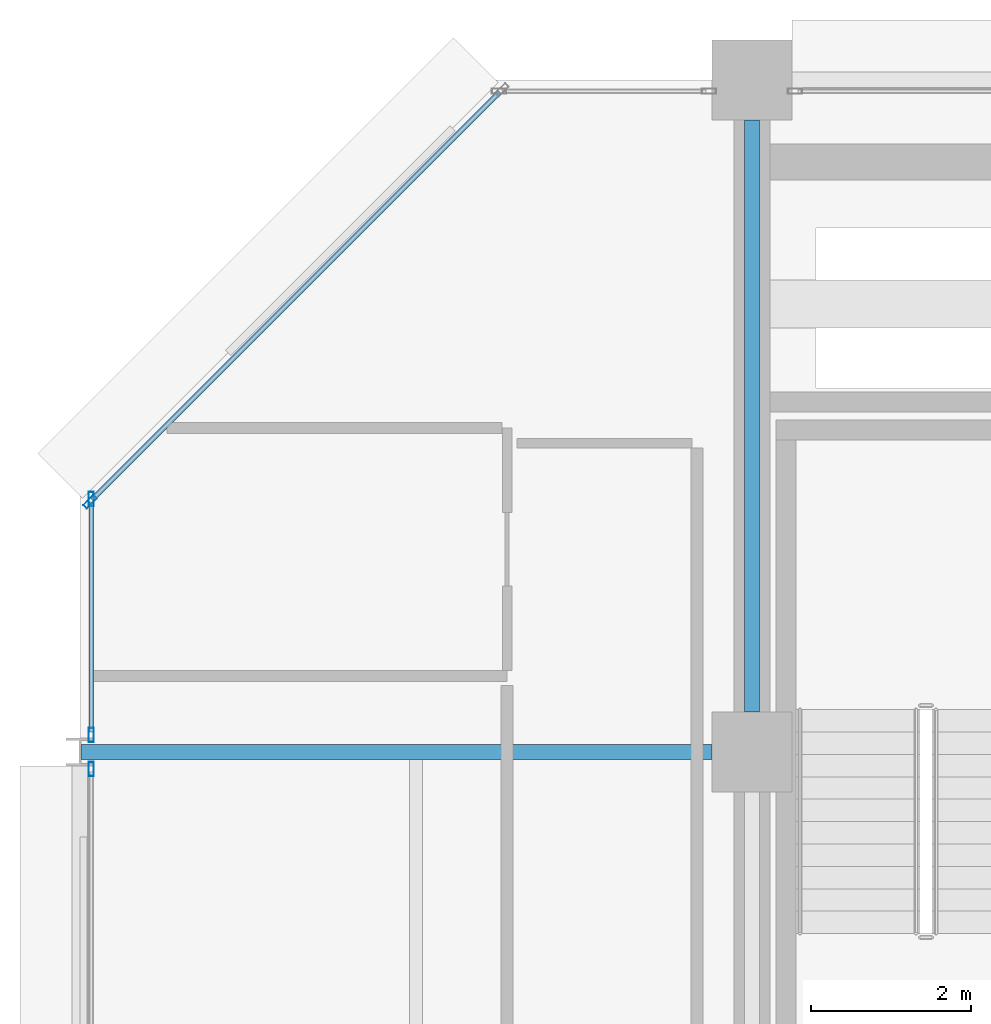
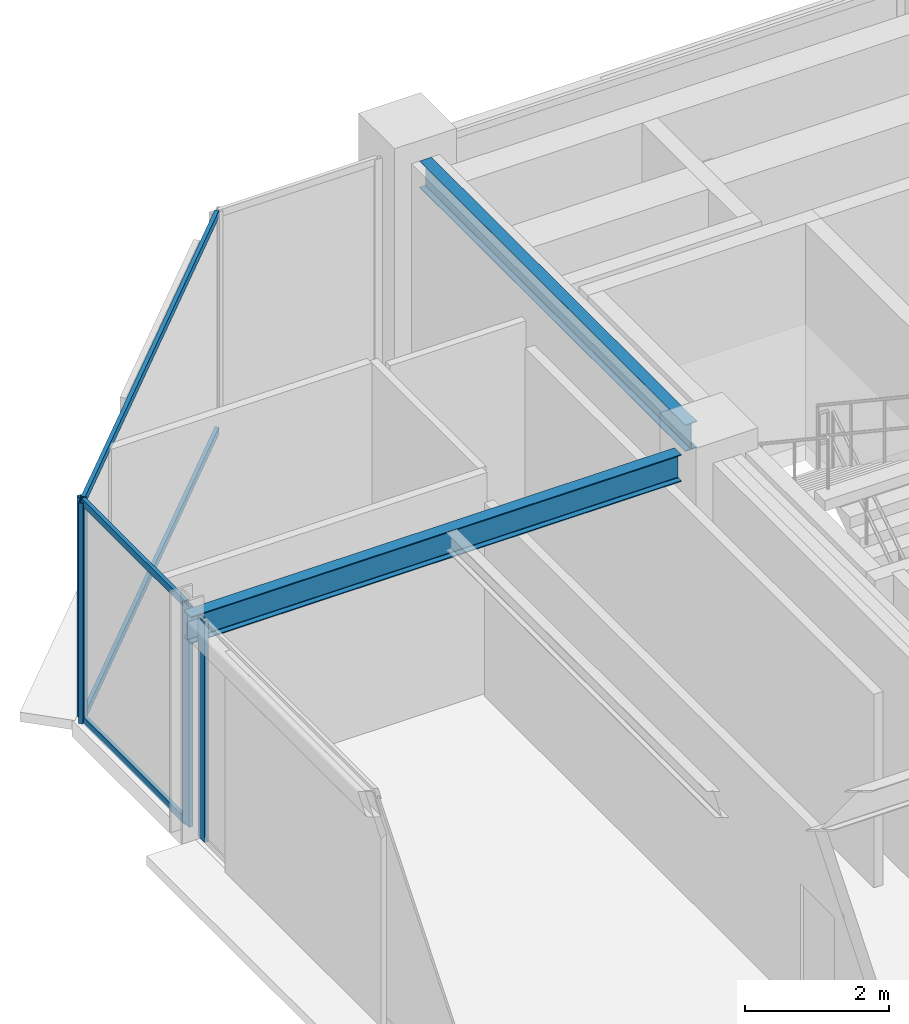
# One storey, part 16 of 26: 8 members, 2 beams, 3 elements without a shape of their own.
"""IFC4 building model written with IfcOpenShell, lengths in metres."""

from ifc_helpers import new_model, si_unit, direction, frame, origin, origin_2d, place, context, subcontext, project, spatial, hollow_rectangle, i_section, extrude, material, layer, layer_set, material_profile, profile_set, type_object, element, aggregate, save


model = new_model("IFC4")

# Units and contexts
model_context = context("Model", 3, precision=1e-05, world=origin(), true_north=direction((0.0, 1.0)))
body_context = subcontext(model_context, "Body", "Model", "MODEL_VIEW")
ifc_project = project(units=[si_unit("LENGTHUNIT", "METRE"), si_unit("AREAUNIT", "SQUARE_METRE"), si_unit("VOLUMEUNIT", "CUBIC_METRE"), si_unit("PLANEANGLEUNIT", "RADIAN"), si_unit("MASSUNIT", "GRAM", prefix="KILO")], contexts=[model_context])

# Site, building, storey
site_placement = place(None, origin())
site = spatial("IfcSite", under=ifc_project, at=site_placement, CompositionType="ELEMENT")
building_placement = place(site_placement, origin())
building = spatial("IfcBuilding", under=site, at=building_placement, Name="Nerrivon Quay Data Exchange", CompositionType="ELEMENT")
storey_placement = place(building_placement, frame((0.0, 0.0, 241.10009765625)))
storey = spatial("IfcBuildingStorey", under=building, at=storey_placement, Name="L57", CompositionType="ELEMENT", Elevation=241.10009765625)

# Beams
ifc_material_1 = material(Name="Steel Grade 350", Category="steel")
ifc_material_profile_1 = material_profile(ifc_material_1, i_section(OverallWidth=0.19091796875, OverallDepth=0.4599609375, WebThickness=0.010009765625, FlangeThickness=0.01611328125, FilletRadius=0.011474609375, at=origin_2d()), Name="460UB82.1")
ifc_profile_set_1 = profile_set([ifc_material_profile_1], Name="Steel Grade 350")
beam_type_1 = type_object("IfcBeamType", Name="BM-G5-460UB82", PredefinedType="BEAM", material=ifc_profile_set_1)
beam_1_placement = place(storey_placement, frame((0.010009765625, 33.60009765625, 3.52001953125), z_axis=(1.0, 0.0, 0.0), x_axis=(0.0, 1.0, 0.0)))
element("IfcBeam", 1, at=beam_1_placement, inside=storey, type_object=beam_type_1, Name="L57 EW Girder Y=33.6 (0.0..8.4)", PredefinedType="BEAM", context=body_context, shape_type="SweptSolid", body=[
    extrude(i_section(OverallWidth=0.19091796875, OverallDepth=0.4599609375, WebThickness=0.010009765625, FlangeThickness=0.01611328125, FilletRadius=0.011474609375, at=origin_2d()), origin(), (0.0, 0.0, 1.0), 7.889892578125),
])
ifc_material_profile_2 = material_profile(ifc_material_1, i_section(OverallWidth=0.18994140625, OverallDepth=0.4541015625, WebThickness=0.008544921875, FlangeThickness=0.0126953125, FilletRadius=0.011474609375, at=origin_2d()), Name="460UB67.1")
ifc_profile_set_2 = profile_set([ifc_material_profile_2], Name="Steel Grade 350")
beam_type_2 = type_object("IfcBeamType", Name="BM-G6-460UB67", PredefinedType="BEAM", material=ifc_profile_set_2)
beam_2_placement = place(storey_placement, frame((8.39990234375, 34.10009765625, 3.52294921875), z_axis=(0.0, 1.0, 0.0), x_axis=(-1.0, 0.0, 0.0)))
element("IfcBeam", 2, at=beam_2_placement, inside=storey, type_object=beam_type_2, Name="L57 NS Girder X=8.4 (33.6..42.0)", PredefinedType="BEAM", context=body_context, shape_type="SweptSolid", body=[
    extrude(i_section(OverallWidth=0.18994140625, OverallDepth=0.4541015625, WebThickness=0.008544921875, FlangeThickness=0.0126953125, FilletRadius=0.011474609375, at=origin_2d()), origin(), (0.0, 0.0, 1.0), 7.39990234375),
])

# Curtain wall, member
ifc_material_2 = material(Name="Anodised aluminium 6063-T6", Category="aluminium")
ifc_layer = layer(ifc_material_2, 0.195068359375)
ifc_layer_set = layer_set([ifc_layer], Name="Anodised aluminium 6063-T6")
curtain_wall_type = type_object("IfcCurtainWallType", Name="CW-SYS-06", PredefinedType="NOTDEFINED", material=ifc_layer_set)
curtain_wall_1_placement = place(storey_placement, origin())
curtain_wall_1 = element("IfcCurtainWall", 3, at=curtain_wall_1_placement, inside=storey, type_object=curtain_wall_type, Name="L57 Unitised Curtain Wall 14", PredefinedType="NOTDEFINED")
ifc_material_profile_3 = material_profile(ifc_material_2, hollow_rectangle(XDim=0.06494140625, YDim=0.179931640625, WallThickness=0.00341796875, at=origin_2d()), Name="ALU-MULL-180x65")
ifc_profile_set_3 = profile_set([ifc_material_profile_3], Name="Anodised aluminium 6063-T6")
member_type_1 = type_object("IfcMemberType", Name="CWM-180x65", PredefinedType="MULLION", material=ifc_profile_set_3)
member_1_placement = place(storey_placement, frame((0.139892578125, 33.387451171875, 0.0), z_axis=(0.0, 0.0, 1.0), x_axis=(-1.0, 0.0, 0.0)))
member_1 = element("IfcMember", 4, at=member_1_placement, type_object=member_type_1, Name="CW06 mullion 2", PredefinedType="MULLION", context=body_context, shape_type="SweptSolid", body=[
    extrude(hollow_rectangle(XDim=0.06494140625, YDim=0.179931640625, WallThickness=0.00341796875, at=origin_2d()), origin(), (0.0, 0.0, 1.0), 3.75),
])
aggregate(curtain_wall_1, [member_1])

# Curtain wall, members
curtain_wall_2_placement = place(storey_placement, origin())
curtain_wall_2 = element("IfcCurtainWall", 5, at=curtain_wall_2_placement, inside=storey, type_object=curtain_wall_type, Name="L57 Unitised Curtain Wall 15", PredefinedType="NOTDEFINED")
member_2_placement = place(storey_placement, frame((0.139892578125, 33.8125, 0.0), z_axis=(0.0, 0.0, 1.0), x_axis=(-1.0, 0.0, 0.0)))
member_2 = element("IfcMember", 6, at=member_2_placement, type_object=member_type_1, Name="CW06 mullion 1", PredefinedType="MULLION", context=body_context, shape_type="SweptSolid", body=[
    extrude(hollow_rectangle(XDim=0.06494140625, YDim=0.179931640625, WallThickness=0.00341796875, at=origin_2d()), origin(), (0.0, 0.0, 1.0), 3.75),
])
member_3_placement = place(storey_placement, frame((0.139892578125, 36.762451171875, 0.0), z_axis=(0.0, 0.0, 1.0), x_axis=(-1.0, 0.0, 0.0)))
member_3 = element("IfcMember", 7, at=member_3_placement, type_object=member_type_1, Name="CW06 mullion 2", PredefinedType="MULLION", context=body_context, shape_type="SweptSolid", body=[
    extrude(hollow_rectangle(XDim=0.06494140625, YDim=0.179931640625, WallThickness=0.00341796875, at=origin_2d()), origin(), (0.0, 0.0, 1.0), 3.75),
])

# Curtain wall, member
curtain_wall_3_placement = place(storey_placement, origin())
curtain_wall_3 = element("IfcCurtainWall", 8, at=curtain_wall_3_placement, inside=storey, type_object=curtain_wall_type, Name="L57 Unitised Curtain Wall 16", PredefinedType="NOTDEFINED")
member_4_placement = place(storey_placement, frame((0.12548828125, 36.7275390625, 0.0), z_axis=(0.0, 0.0, 1.0), x_axis=(-0.707106781187, 0.707106781187, 0.0)))
member_4 = element("IfcMember", 9, at=member_4_placement, type_object=member_type_1, Name="CW06 mullion 1", PredefinedType="MULLION", context=body_context, shape_type="SweptSolid", body=[
    extrude(hollow_rectangle(XDim=0.06494140625, YDim=0.179931640625, WallThickness=0.00341796875, at=origin_2d()), origin(), (0.0, 0.0, 1.0), 3.75),
])

# Member
ifc_material_profile_4 = material_profile(ifc_material_2, hollow_rectangle(XDim=0.06005859375, YDim=0.1201171875, WallThickness=0.003173828125, at=origin_2d()), Name="ALU-TRAN-120x60")
ifc_profile_set_4 = profile_set([ifc_material_profile_4], Name="Anodised aluminium 6063-T6")
member_type_2 = type_object("IfcMemberType", Name="CWT-120x60", PredefinedType="USERDEFINED", material=ifc_profile_set_4)
member_5_placement = place(storey_placement, frame((0.139892578125, 33.85009765625, 0.032470703125), z_axis=(0.0, 1.0, 0.0), x_axis=(-1.0, 0.0, 0.0)))
member_5 = element("IfcMember", 10, at=member_5_placement, type_object=member_type_2, Name="CW06 transom 1.1", ObjectType="TRANSOM", PredefinedType="USERDEFINED", context=body_context, shape_type="SweptSolid", body=[
    extrude(hollow_rectangle(XDim=0.06005859375, YDim=0.1201171875, WallThickness=0.003173828125, at=origin_2d()), origin(), (0.0, 0.0, 1.0), 2.875),
])

member_6_placement = place(storey_placement, frame((0.139892578125, 33.85009765625, 3.71728515625), z_axis=(0.0, 1.0, 0.0), x_axis=(-1.0, 0.0, 0.0)))
member_6 = element("IfcMember", 11, at=member_6_placement, type_object=member_type_2, Name="CW06 transom 1.2", ObjectType="TRANSOM", PredefinedType="USERDEFINED", context=body_context, shape_type="SweptSolid", body=[
    extrude(hollow_rectangle(XDim=0.06005859375, YDim=0.1201171875, WallThickness=0.003173828125, at=origin_2d()), origin(), (0.0, 0.0, 1.0), 2.875),
])

aggregate(curtain_wall_2, [member_2, member_3, member_5, member_6])

member_7_placement = place(storey_placement, frame((0.152099609375, 36.754150390625, 0.032470703125), z_axis=(0.707106781187, 0.707106781187, 0.0), x_axis=(-0.707106781187, 0.707106781187, 0.0)))
member_7 = element("IfcMember", 12, at=member_7_placement, type_object=member_type_2, Name="CW06 transom 1.1", ObjectType="TRANSOM", PredefinedType="USERDEFINED", context=body_context, shape_type="SweptSolid", body=[
    extrude(hollow_rectangle(XDim=0.06005859375, YDim=0.1201171875, WallThickness=0.003173828125, at=origin_2d()), origin(), (0.0, 0.0, 1.0), 7.20361328125),
])

member_8_placement = place(storey_placement, frame((0.152099609375, 36.754150390625, 3.71728515625), z_axis=(0.707106781187, 0.707106781187, 0.0), x_axis=(-0.707106781187, 0.707106781187, 0.0)))
member_8 = element("IfcMember", 13, at=member_8_placement, type_object=member_type_2, Name="CW06 transom 1.2", ObjectType="TRANSOM", PredefinedType="USERDEFINED", context=body_context, shape_type="SweptSolid", body=[
    extrude(hollow_rectangle(XDim=0.06005859375, YDim=0.1201171875, WallThickness=0.003173828125, at=origin_2d()), origin(), (0.0, 0.0, 1.0), 7.20361328125),
])

aggregate(curtain_wall_3, [member_4, member_7, member_8])

save(model, "model.ifc")
